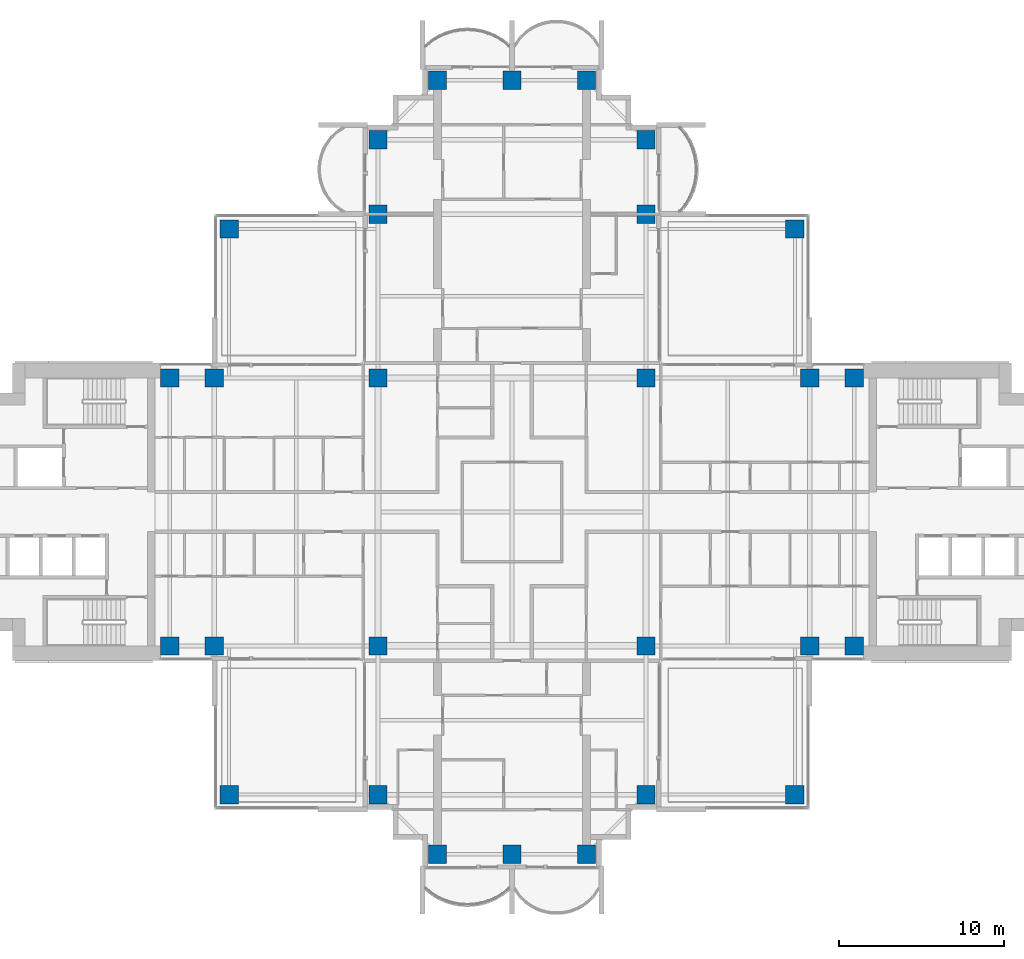
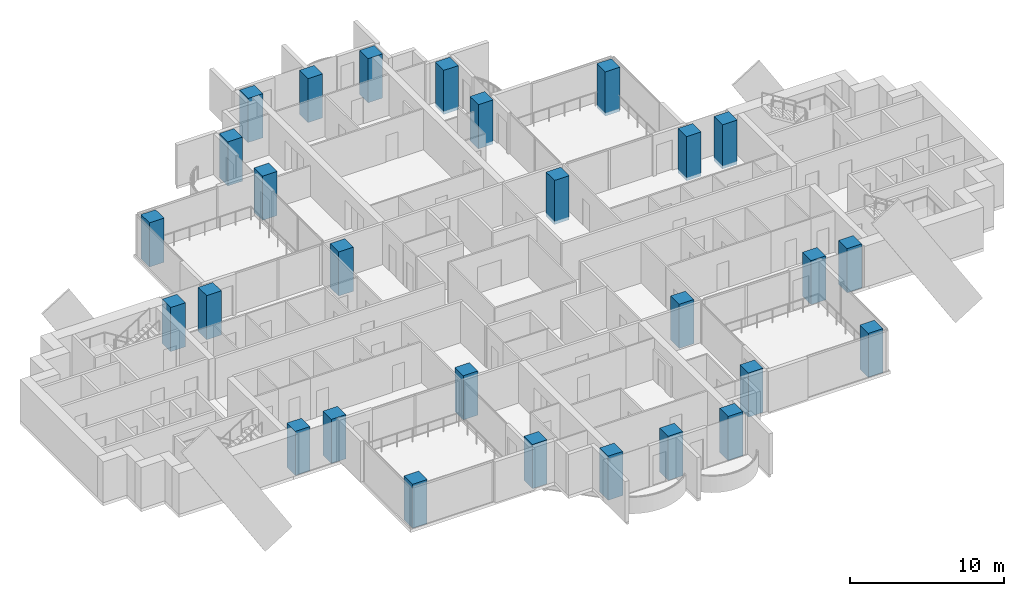
# One storey, part 1 of 19: 28 columns.
"""IFC4 building model written with IfcOpenShell, lengths in metres."""

from ifc_helpers import new_model, si_unit, direction, frame, origin, origin_2d, place, context, subcontext, project, spatial, rectangle, extrude, material, material_profile, profile_set, type_object, element, save


model = new_model("IFC4")

# Units and contexts
model_context = context("Model", 3, precision=1e-05, world=origin(), true_north=direction((0.0, 1.0)))
body_context = subcontext(model_context, "Body", "Model", "MODEL_VIEW")
ifc_project = project(units=[si_unit("LENGTHUNIT", "METRE"), si_unit("AREAUNIT", "SQUARE_METRE"), si_unit("VOLUMEUNIT", "CUBIC_METRE"), si_unit("PLANEANGLEUNIT", "RADIAN"), si_unit("MASSUNIT", "GRAM", prefix="KILO")], contexts=[model_context])

# Site, building, storey
site_placement = place(None, origin())
site = spatial("IfcSite", under=ifc_project, at=site_placement, CompositionType="ELEMENT")
building_placement = place(site_placement, origin())
building = spatial("IfcBuilding", under=site, at=building_placement, Name="Perihelion Cross Residences", CompositionType="ELEMENT")
storey_placement = place(building_placement, frame((0.0, 0.0, 137.39990234375)))
storey = spatial("IfcBuildingStorey", under=building, at=storey_placement, Name="L33", CompositionType="ELEMENT", Elevation=137.39990234375)

# Columns
ifc_material = material(Name="Concrete C60/75", Category="concrete")
ifc_material_profile = material_profile(ifc_material, rectangle(XDim=1.10009765625, YDim=1.10009765625, at=origin_2d()), Name="RC 1100x1100")
ifc_profile_set = profile_set([ifc_material_profile], Name="Concrete C60/75")
column_type = type_object("IfcColumnType", Name="Reinforced concrete column 1100x1100 C60/75", PredefinedType="COLUMN", material=ifc_profile_set)
for number, where, z_axis, x_axis, name in (
    (1, (-20.699951171875, -8.10009765625, -0.25), (0.0, 0.0, 1.0), (1.0, 0.0, 0.0), "Column C017 L33 no. 1"),
    (2, (-20.699951171875, 8.10009765625, -0.25), (0.0, 0.0, 1.0), (1.0, 0.0, 0.0), "Column C010 L33 no. 1"),
    (3, (-18.0, -8.10009765625, -0.25), (0.0, 0.0, 1.0), (1.0, 0.0, 0.0), "Column C018 L33 no. 1"),
    (4, (-18.0, 8.10009765625, -0.25), (0.0, 0.0, 1.0), (1.0, 0.0, 0.0), "Column C011 L33 no. 1"),
    (5, (-8.10009765625, -17.10009765625, -0.25), (0.0, 0.0, 1.0), (1.0, 0.0, 0.0), "Column C031 L33 no. 1"),
    (6, (-8.10009765625, -8.10009765625, -0.25), (0.0, 0.0, 1.0), (1.0, 0.0, 0.0), "Column C019 L33 no. 1"),
    (7, (-8.10009765625, 8.10009765625, -0.25), (0.0, 0.0, 1.0), (1.0, 0.0, 0.0), "Column C012 L33 no. 1"),
    (8, (-8.10009765625, 18.0, -0.25), (0.0, 0.0, 1.0), (1.0, 0.0, 0.0), "Column C006 L33 no. 1"),
    (9, (-8.10009765625, 22.5, -0.25), (0.0, 0.0, 1.0), (1.0, 0.0, 0.0), "Column C004 L33 no. 1"),
    (10, (-4.5, -20.699951171875, -0.25), (0.0, 0.0, 1.0), (1.0, 0.0, 0.0), "Column C037 L33 no. 1"),
    (11, (-4.5, 26.10009765625, -0.25), (0.0, 0.0, 1.0), (1.0, 0.0, 0.0), "Column C001 L33 no. 1"),
    (12, (0.0, -20.699951171875, -0.25), (0.0, 0.0, 1.0), (1.0, 0.0, 0.0), "Column C038 L33 no. 1"),
    (13, (0.0, 26.10009765625, -0.25), (0.0, 0.0, 1.0), (1.0, 0.0, 0.0), "Column C002 L33 no. 1"),
    (14, (4.5, -20.699951171875, -0.25), (0.0, 0.0, 1.0), (1.0, 0.0, 0.0), "Column C039 L33 no. 1"),
    (15, (4.5, 26.10009765625, -0.25), (0.0, 0.0, 1.0), (1.0, 0.0, 0.0), "Column C003 L33 no. 1"),
    (16, (8.10009765625, -17.10009765625, -0.25), (0.0, 0.0, 1.0), (1.0, 0.0, 0.0), "Column C035 L33 no. 1"),
    (17, (8.10009765625, -8.10009765625, -0.25), (0.0, 0.0, 1.0), (1.0, 0.0, 0.0), "Column C020 L33 no. 1"),
    (18, (8.10009765625, 8.10009765625, -0.25), (0.0, 0.0, 1.0), (1.0, 0.0, 0.0), "Column C014 L33 no. 1"),
    (19, (8.10009765625, 18.0, -0.25), (0.0, 0.0, 1.0), (1.0, 0.0, 0.0), "Column C007 L33 no. 1"),
    (20, (8.10009765625, 22.5, -0.25), (0.0, 0.0, 1.0), (1.0, 0.0, 0.0), "Column C005 L33 no. 1"),
    (21, (18.0, -8.10009765625, -0.25), (0.0, 0.0, 1.0), (1.0, 0.0, 0.0), "Column C021 L33 no. 1"),
    (22, (18.0, 8.10009765625, -0.25), (0.0, 0.0, 1.0), (1.0, 0.0, 0.0), "Column C015 L33 no. 1"),
    (23, (20.699951171875, -8.10009765625, -0.25), (0.0, 0.0, 1.0), (1.0, 0.0, 0.0), "Column C022 L33 no. 1"),
    (24, (20.699951171875, 8.10009765625, -0.25), (0.0, 0.0, 1.0), (1.0, 0.0, 0.0), "Column C016 L33 no. 1"),
    (25, (17.10009765625, 17.10009765625, -0.25), (0.0, 0.0, 1.0), (1.0, 0.0, 0.0), "Column C009 L33 no. 1"),
    (26, (-17.10009765625, 17.10009765625, -0.25), (0.0, 0.0, 1.0), (1.0, 0.0, 0.0), "Column C008 L33 no. 1"),
    (27, (-17.10009765625, -17.10009765625, -0.25), (0.0, 0.0, 1.0), (1.0, 0.0, 0.0), "Column C030 L33 no. 1"),
    (28, (17.10009765625, -17.10009765625, -0.25), (0.0, 0.0, 1.0), (1.0, 0.0, 0.0), "Column C036 L33 no. 1"),
):
    element("IfcColumn", number, at=place(storey_placement, frame(where, z_axis=z_axis, x_axis=x_axis)), inside=storey, type_object=column_type, Name=name, PredefinedType="COLUMN", context=body_context, shape_type="SweptSolid", body=[
        extrude(rectangle(XDim=1.10009765625, YDim=1.10009765625, at=origin_2d()), origin(), (0.0, 0.0, 1.0), 3.5),
    ])

save(model, "model.ifc")
